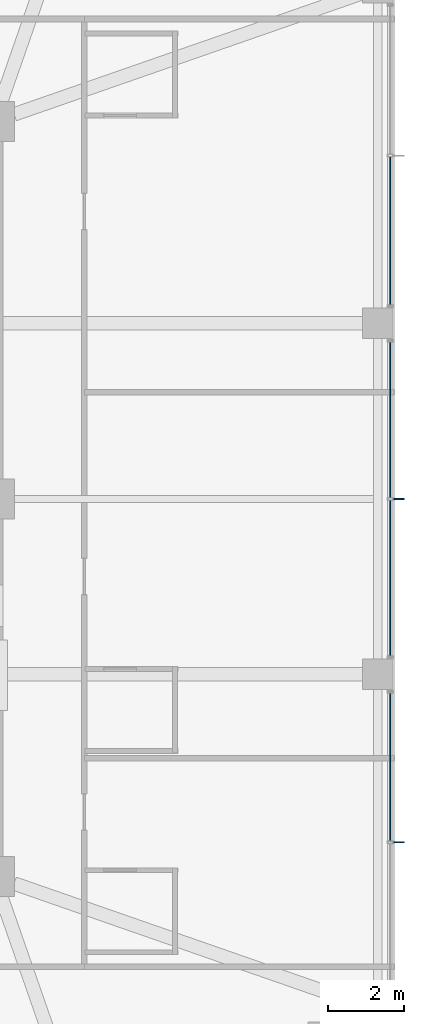
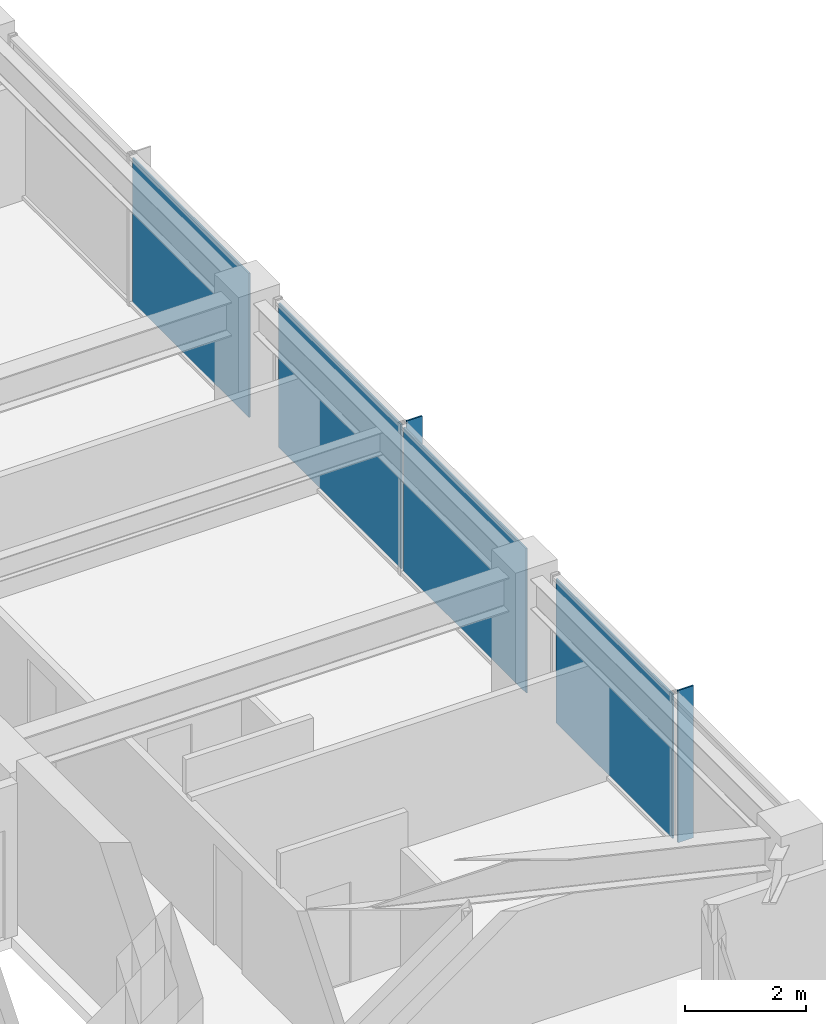
# One storey, part 27 of 36: 6 plates, 3 elements without a shape of their own.
"""IFC4 building model written with IfcOpenShell, lengths in metres."""

from ifc_helpers import new_model, si_unit, direction, frame, origin, origin_2d, place, context, subcontext, project, spatial, rectangle, extrude, material, layer, layer_set, type_object, element, aggregate, save


model = new_model("IFC4")

# Units and contexts
model_context = context("Model", 3, precision=1e-05, world=origin(), true_north=direction((0.0, 1.0)))
body_context = subcontext(model_context, "Body", "Model", "MODEL_VIEW")
ifc_project = project(units=[si_unit("LENGTHUNIT", "METRE"), si_unit("AREAUNIT", "SQUARE_METRE"), si_unit("VOLUMEUNIT", "CUBIC_METRE"), si_unit("PLANEANGLEUNIT", "RADIAN"), si_unit("MASSUNIT", "GRAM", prefix="KILO")], contexts=[model_context])

# Site, building, storey
site_placement = place(None, origin())
site = spatial("IfcSite", under=ifc_project, at=site_placement, CompositionType="ELEMENT")
building_placement = place(site_placement, origin())
building = spatial("IfcBuilding", under=site, at=building_placement, Name="Kolvaren Belvedere", CompositionType="ELEMENT")
storey_placement = place(building_placement, frame((0.0, 0.0, 226.199951171875)))
storey = spatial("IfcBuildingStorey", under=building, at=storey_placement, Name="L66", CompositionType="ELEMENT", Elevation=226.199951171875)

# Curtain wall, plate
ifc_material_1 = material(Name="Anodised pale-metal aluminium AA 6063-T6", Category="aluminium")
curtain_wall_type = type_object("IfcCurtainWallType", Name="CW-Z5-HIGH", PredefinedType="NOTDEFINED", material=ifc_material_1)
curtain_wall_1_placement = place(storey_placement, origin())
curtain_wall_1 = element("IfcCurtainWall", 1, at=curtain_wall_1_placement, inside=storey, type_object=curtain_wall_type, Name="L66 Unitised Curtain Wall FCW-L66-E-B1", PredefinedType="NOTDEFINED")
ifc_material_2 = material(Name="Low-iron triple insulated glass", Category="glass")
ifc_layer_1 = layer(ifc_material_2, 0.028076171875)
ifc_layer_set_1 = layer_set([ifc_layer_1], Name="Low-iron triple insulated glass")
plate_type_1 = type_object("IfcPlateType", Name="CW-PNL-VIS28", PredefinedType="CURTAIN_PANEL", material=ifc_layer_set_1)
plate_1_placement = place(storey_placement, frame((20.280029296875, 7.027587890625, 0.080078125), z_axis=(0.0, 0.0, 1.0), x_axis=(0.0, -1.0, 0.0)))
plate_1 = element("IfcPlate", 2, at=plate_1_placement, type_object=plate_type_1, Name="FCW-L66-E-B1 Vision Glazing Panel 2", PredefinedType="CURTAIN_PANEL", context=body_context, shape_type="SweptSolid", body=[
    extrude(rectangle(XDim=3.864990234375, YDim=0.028076171875, at=origin_2d()), origin(), (0.0, 0.0, 1.0), 2.919921875),
])
aggregate(curtain_wall_1, [plate_1])

# Curtain wall, plates
curtain_wall_2_placement = place(storey_placement, origin())
curtain_wall_2 = element("IfcCurtainWall", 3, at=curtain_wall_2_placement, inside=storey, type_object=curtain_wall_type, Name="L66 Unitised Curtain Wall FCW-L66-E-B2", PredefinedType="NOTDEFINED")
plate_2_placement = place(storey_placement, frame((20.280029296875, 2.072509765625, 0.080078125), z_axis=(0.0, 0.0, 1.0), x_axis=(0.0, -1.0, 0.0)))
plate_2 = element("IfcPlate", 4, at=plate_2_placement, type_object=plate_type_1, Name="FCW-L66-E-B2 Vision Glazing Panel 1", PredefinedType="CURTAIN_PANEL", context=body_context, shape_type="SweptSolid", body=[
    extrude(rectangle(XDim=4.06494140625, YDim=0.028076171875, at=origin_2d()), origin(), (0.0, 0.0, 1.0), 2.919921875),
])
plate_3_placement = place(storey_placement, frame((20.280029296875, -2.072509765625, 0.080078125), z_axis=(0.0, 0.0, 1.0), x_axis=(0.0, -1.0, 0.0)))
plate_3 = element("IfcPlate", 5, at=plate_3_placement, type_object=plate_type_1, Name="FCW-L66-E-B2 Vision Glazing Panel 2", PredefinedType="CURTAIN_PANEL", context=body_context, shape_type="SweptSolid", body=[
    extrude(rectangle(XDim=4.06494140625, YDim=0.028076171875, at=origin_2d()), origin(), (0.0, 0.0, 1.0), 2.919921875),
])
aggregate(curtain_wall_2, [plate_2, plate_3])

# Curtain wall, plate
curtain_wall_3_placement = place(storey_placement, origin())
curtain_wall_3 = element("IfcCurtainWall", 6, at=curtain_wall_3_placement, inside=storey, type_object=curtain_wall_type, Name="L66 Unitised Curtain Wall FCW-L66-E-B3", PredefinedType="NOTDEFINED")
plate_4_placement = place(storey_placement, frame((20.280029296875, -7.027587890625, 0.080078125), z_axis=(0.0, 0.0, 1.0), x_axis=(0.0, -1.0, 0.0)))
plate_4 = element("IfcPlate", 7, at=plate_4_placement, type_object=plate_type_1, Name="FCW-L66-E-B3 Vision Glazing Panel 1", PredefinedType="CURTAIN_PANEL", context=body_context, shape_type="SweptSolid", body=[
    extrude(rectangle(XDim=3.864990234375, YDim=0.028076171875, at=origin_2d()), origin(), (0.0, 0.0, 1.0), 2.919921875),
])
aggregate(curtain_wall_3, [plate_4])

# Plates
ifc_material_3 = material(Name="Anodised pale-metal aluminium AA 6063-T6", Category="aluminium")
ifc_layer_2 = layer(ifc_material_3, 0.030029296875)
ifc_layer_set_2 = layer_set([ifc_layer_2], Name="Anodised pale-metal aluminium AA 6063-T6")
plate_type_2 = type_object("IfcPlateType", Name="FIN-VERT-300", PredefinedType="USERDEFINED", material=ifc_layer_set_2)
for number, where, z_axis, x_axis, name in (
    (8, (20.489990234375, 0.0, 0.0), (0.0, 0.0, 1.0), (1.0, 0.0, 0.0), "L66 Pale-Metal Vertical Shading Fin FCW-L66-E-B2-1"),
    (9, (20.489990234375, -9.0, 0.0), (0.0, 0.0, 1.0), (1.0, 0.0, 0.0), "L66 Pale-Metal Vertical Shading Fin FCW-L66-E-B3-1"),
):
    element("IfcPlate", number, at=place(storey_placement, frame(where, z_axis=z_axis, x_axis=x_axis)), inside=storey, type_object=plate_type_2, Name=name, ObjectType="VERTICAL FIN", PredefinedType="USERDEFINED", context=body_context, shape_type="SweptSolid", body=[
        extrude(rectangle(XDim=0.300048828125, YDim=0.030029296875, at=origin_2d()), origin(), (0.0, 0.0, 1.0), 3.080078125),
    ])

save(model, "model.ifc")
